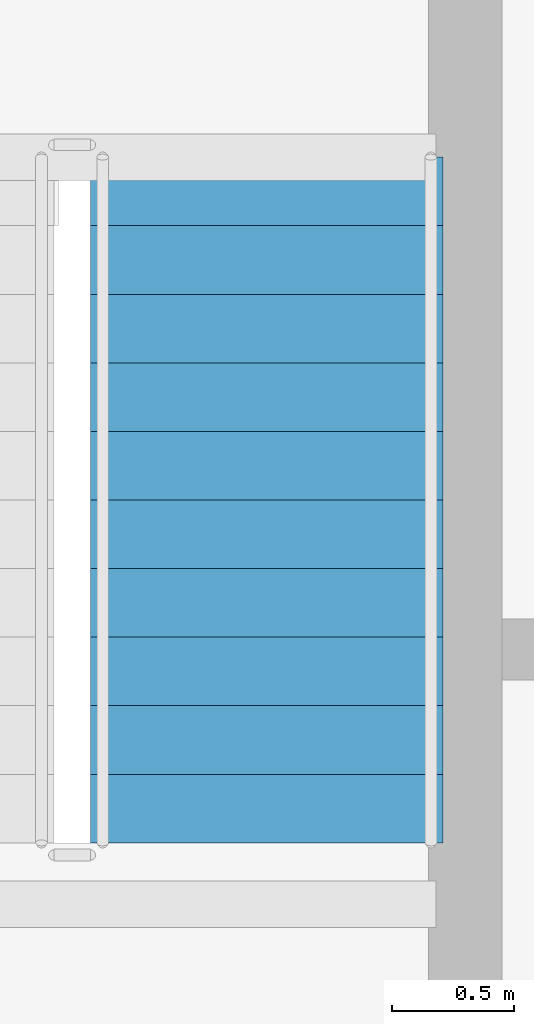
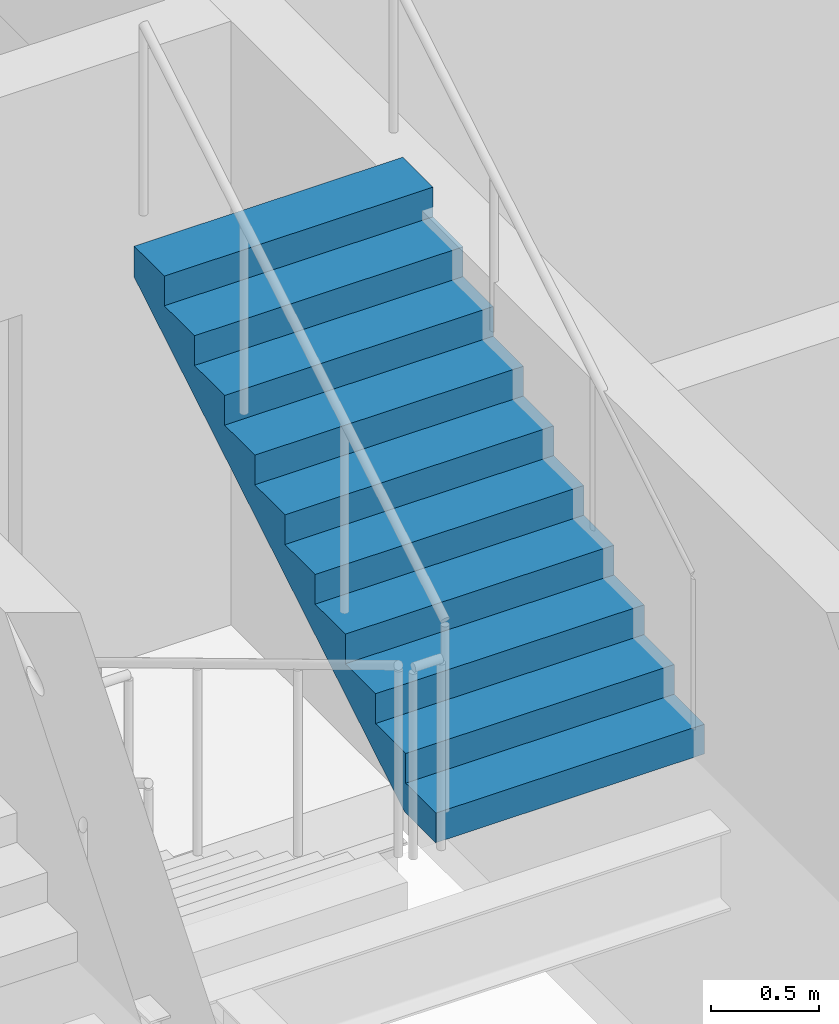
# One storey, part 24 of 29: 1 stair flight, 1 element without a shape of its own.
"""IFC4 building model written with IfcOpenShell, lengths in metres."""

import ifcopenshell
import ifcopenshell.guid

model = None  # the IFC model being written
_history = None  # IfcOwnerHistory: only IFC2X3 demands one
_inside = {}  # id of a spatial element -> (the spatial element, [elements in it])
_under = {}  # id of a project, library or spatial element -> (it, [spatial elements below it])
_declared = {}  # id of a project -> (the project, [libraries it declares])
_typed = {}  # id of a type object -> (the type object, [elements of that type])
_made_of = {}  # id of a material, layer set ... -> (it, [elements and type objects made of it])


def new_model(schema):
    """Start an empty IFC model of exactly this schema.

    Asked for "IFC4X3", IfcOpenShell would pick the latest addendum, in which some entities
    have other attributes; the version numbers below select the first issue.
    IFC2X3 requires an IfcOwnerHistory on every rooted entity: one is made here for all.
    """
    global model, _history
    if schema == "IFC4X3":
        model = ifcopenshell.file(schema_version=(4, 3, 0, 0))
    else:
        model = ifcopenshell.file(schema=schema)
    _inside.clear()
    _under.clear()
    _declared.clear()
    _typed.clear()
    _made_of.clear()
    _history = None
    if model.schema == "IFC2X3":
        org = make("IfcOrganization", Name="unknown")
        user = make(
            "IfcPersonAndOrganization",
            ThePerson=make("IfcPerson", FamilyName="unknown"),
            TheOrganization=org,
        )
        app = make(
            "IfcApplication",
            ApplicationDeveloper=org,
            Version="unknown",
            ApplicationFullName="unknown",
            ApplicationIdentifier="unknown",
        )
        _history = make(
            "IfcOwnerHistory",
            OwningUser=user,
            OwningApplication=app,
            ChangeAction="ADDED",
            CreationDate=0,
        )
    return model


def make(cls, **values):
    """One entity of the class cls with the attributes given. An attribute that is None is left unset."""
    return model.create_entity(
        cls, **{name: value for name, value in values.items() if value is not None}
    )


def rooted(cls, **values):
    """An entity with a GlobalId (a new one), such as an element, a storey or a relation."""
    return make(cls, GlobalId=ifcopenshell.guid.new(), OwnerHistory=_history, **values)


def si_unit(unit_type, name, prefix=None):
    """IfcSIUnit, for example si_unit("LENGTHUNIT", "METRE", prefix="MILLI")."""
    return make("IfcSIUnit", UnitType=unit_type, Prefix=prefix, Name=name)


def assignment(units):
    """IfcUnitAssignment: the units of a project."""
    return None if units is None else make("IfcUnitAssignment", Units=units)


def point(xyz):
    """IfcCartesianPoint."""
    return None if xyz is None else make("IfcCartesianPoint", Coordinates=xyz)


def direction(xyz):
    """IfcDirection."""
    return None if xyz is None else make("IfcDirection", DirectionRatios=xyz)


def frame(location, z_axis=None, x_axis=None):
    """IfcAxis2Placement3D, a coordinate frame: its origin and axes. An axis left out is left unset."""
    return make(
        "IfcAxis2Placement3D",
        Location=point(location),
        Axis=direction(z_axis),
        RefDirection=direction(x_axis),
    )


def origin():
    """The frame at (0, 0, 0) with its axes left unset."""
    return frame((0.0, 0.0, 0.0))


def place(relative_to, where):
    """IfcLocalPlacement: puts the frame where relative to a parent placement (None: the world)."""
    return make(
        "IfcLocalPlacement", PlacementRelTo=relative_to, RelativePlacement=where
    )


def context(
    kind, dimensions, precision=None, world=None, true_north=None, identifier=None
):
    """IfcGeometricRepresentationContext, for example the 3D "Model" context."""
    return make(
        "IfcGeometricRepresentationContext",
        ContextIdentifier=identifier,
        ContextType=kind,
        CoordinateSpaceDimension=dimensions,
        Precision=precision,
        WorldCoordinateSystem=world,
        TrueNorth=true_north,
    )


def subcontext(parent, identifier, kind, view, scale=None):
    """IfcGeometricRepresentationSubContext, for example "Body" below "Model"."""
    return make(
        "IfcGeometricRepresentationSubContext",
        ContextIdentifier=identifier,
        ContextType=kind,
        ParentContext=parent,
        TargetScale=scale,
        TargetView=view,
    )


def project(units=None, contexts=None):
    """IfcProject with its units and contexts."""
    return rooted(
        "IfcProject",
        Name="project",
        RepresentationContexts=contexts,
        UnitsInContext=assignment(units),
    )


def spatial(cls, under=None, at=None, **own):
    """A site, building, storey or space (cls), placed at a placement, below another one or the project."""
    s = rooted(cls, ObjectPlacement=at, **own)
    if under is not None:
        _under.setdefault(under.id(), (under, []))[1].append(s)
    return s


def polyline(points):
    """IfcPolyline through the points."""
    return make("IfcPolyline", Points=[point(p) for p in points])


def outline(outer, holes=None, kind="AREA"):
    """IfcArbitraryClosedProfileDef: a profile drawn as a closed curve; with holes, ...WithVoids."""
    if holes is None:
        return make("IfcArbitraryClosedProfileDef", ProfileType=kind, OuterCurve=outer)
    return make(
        "IfcArbitraryProfileDefWithVoids",
        ProfileType=kind,
        OuterCurve=outer,
        InnerCurves=holes,
    )


def extrude(swept, where, along, depth):
    """IfcExtrudedAreaSolid: the profile swept, set in the frame where, extruded along a direction by depth."""
    return make(
        "IfcExtrudedAreaSolid",
        SweptArea=swept,
        Position=where,
        ExtrudedDirection=direction(along),
        Depth=depth,
    )


def shape(context_of_items, identifier, shape_type, items):
    """IfcShapeRepresentation: the items that make up one representation, for example the "Body"."""
    return make(
        "IfcShapeRepresentation",
        ContextOfItems=context_of_items,
        RepresentationIdentifier=identifier,
        RepresentationType=shape_type,
        Items=items,
    )


def material(Name=None, Category=None):
    """IfcMaterial."""
    return make("IfcMaterial", Name=Name, Category=Category)


def layer(
    of_material, thickness, ventilated=None, Name=None, Category=None, Priority=None
):
    """IfcMaterialLayer: one layer of a wall or slab, of a material (None: an air gap)."""
    return make(
        "IfcMaterialLayer",
        Material=of_material,
        LayerThickness=thickness,
        IsVentilated=ventilated,
        Name=Name,
        Category=Category,
        Priority=Priority,
    )


def layer_set(layers, Name=None):
    """IfcMaterialLayerSet."""
    return make("IfcMaterialLayerSet", MaterialLayers=layers, LayerSetName=Name)


def made_of(thing, what):
    """Note that an element or type object is made of a material, layer set ...; save() writes the relation."""
    if what is not None:
        _made_of.setdefault(what.id(), (what, []))[1].append(thing)
    return thing


def type_object(cls, material=None, **own):
    """A type object (cls), such as IfcWallType, which elements share."""
    return made_of(rooted(cls, **own), material)


def element(
    cls,
    number,
    at=None,
    inside=None,
    cuts=None,
    type_object=None,
    material=None,
    context=None,
    identifier="Body",
    shape_type=None,
    held_by="IfcProductDefinitionShape",
    body=None,
    shapes=None,
    **own,
):
    """One element of the class cls, such as IfcWall. Its Tag is "e" and its number.

    at: its placement. inside: the storey or other place that contains it. cuts: it is an
    opening in that element (IfcRelVoidsElement). A single representation is given by context,
    identifier, shape_type and body (its items); several are given by shapes. held_by: the class
    of the entity that holds the representations. save() writes the other relations.
    """
    e = rooted(cls, Tag="e%d" % number, ObjectPlacement=at, **own)
    if body is not None:
        shapes = [shape(context, identifier, shape_type, body)]
    if shapes is not None:
        e.Representation = make(held_by, Representations=shapes)
    if inside is not None:
        _inside.setdefault(inside.id(), (inside, []))[1].append(e)
    if cuts is not None:
        rooted(
            "IfcRelVoidsElement", RelatingBuildingElement=cuts, RelatedOpeningElement=e
        )
    if type_object is not None:
        _typed.setdefault(type_object.id(), (type_object, []))[1].append(e)
    return made_of(e, material)


def aggregate(whole, parts):
    """IfcRelAggregates: a whole, such as a stair, and the parts it consists of."""
    return rooted("IfcRelAggregates", RelatingObject=whole, RelatedObjects=parts)


def save(model, path):
    """Write the relations noted so far, then the file.

    IfcRelAggregates (storeys below a building ...), IfcRelContainedInSpatialStructure (elements
    in a storey), IfcRelDefinesByType, IfcRelAssociatesMaterial and IfcRelDeclares: one each for
    every whole, place, type object, material and project.
    """
    for whole, parts in _under.values():
        aggregate(whole, parts)
    for where, things in _inside.values():
        rooted(
            "IfcRelContainedInSpatialStructure",
            RelatedElements=things,
            RelatingStructure=where,
        )
    for kind, things in _typed.values():
        rooted("IfcRelDefinesByType", RelatedObjects=things, RelatingType=kind)
    for what, things in _made_of.values():
        rooted("IfcRelAssociatesMaterial", RelatedObjects=things, RelatingMaterial=what)
    for by, libraries in _declared.values():
        rooted("IfcRelDeclares", RelatingContext=by, RelatedDefinitions=libraries)
    model.write(path)


model = new_model("IFC4")

# Units and contexts
model_context = context("Model", 3, precision=1e-05, world=origin(), true_north=direction((0.0, 1.0)))
body_context = subcontext(model_context, "Body", "Model", "MODEL_VIEW")
ifc_project = project(units=[si_unit("LENGTHUNIT", "METRE"), si_unit("AREAUNIT", "SQUARE_METRE"), si_unit("VOLUMEUNIT", "CUBIC_METRE"), si_unit("PLANEANGLEUNIT", "RADIAN"), si_unit("MASSUNIT", "GRAM", prefix="KILO")], contexts=[model_context])

# Site, building, storey
site_placement = place(None, origin())
site = spatial("IfcSite", under=ifc_project, at=site_placement, CompositionType="ELEMENT")
building_placement = place(site_placement, origin())
building = spatial("IfcBuilding", under=site, at=building_placement, Name="Solvaryn Broadcast Tower", CompositionType="ELEMENT")
storey_placement = place(building_placement, frame((0.0, 0.0, 113.699951171875)))
storey = spatial("IfcBuildingStorey", under=building, at=storey_placement, Name="L27", CompositionType="ELEMENT", Elevation=113.699951171875)

# Stair, stair flight
ifc_material_1 = material(Name="Concrete f'c 60 MPa", Category="concrete")
stair_type = type_object("IfcStairType", Name="ST-CORE", PredefinedType="HALF_TURN_STAIR", material=ifc_material_1)
stair_placement = place(storey_placement, origin())
stair = element("IfcStair", 1, at=stair_placement, inside=storey, type_object=stair_type, Name="L27 ST2", PredefinedType="HALF_TURN_STAIR")
ifc_material_2 = material(Name="Concrete f'c 60 MPa", Category="concrete")
ifc_layer = layer(ifc_material_2, 0.159912109375)
ifc_layer_set = layer_set([ifc_layer], Name="SF-CORE")
stair_flight_type = type_object("IfcStairFlightType", Name="SF-CORE", PredefinedType="STRAIGHT", material=ifc_layer_set)
stair_flight_placement = place(storey_placement, frame((17.110107421875, 33.159912109375, 1.85009765625), z_axis=(0.0, 0.0, 1.0), x_axis=(0.0, 1.0, 0.0)))
stair_flight = element("IfcStairFlight", 2, at=stair_flight_placement, type_object=stair_flight_type, Name="ST2 flight 2", NumberOfRisers=11, NumberOfTreads=10, PredefinedType="STRAIGHT", RiserHeight=0.168181818, TreadLength=0.28, context=body_context, shape_type="SweptSolid", body=[
    extrude(outline(polyline([(0.0, 0.0), (0.0, 0.168212890625), (0.280029296875, 0.168212890625), (0.280029296875, 0.33642578125), (0.56005859375, 0.33642578125), (0.56005859375, 0.504638671875), (0.840087890625, 0.504638671875), (0.840087890625, 0.672607421875), (1.1201171875, 0.672607421875), (1.1201171875, 0.8408203125), (1.39990234375, 0.8408203125), (1.39990234375, 1.009033203125), (1.679931640625, 1.009033203125), (1.679931640625, 1.17724609375), (1.9599609375, 1.17724609375), (1.9599609375, 1.345458984375), (2.239990234375, 1.345458984375), (2.239990234375, 1.513671875), (2.52001953125, 1.513671875), (2.52001953125, 1.681884765625), (2.800048828125, 1.681884765625), (2.800048828125, 1.85009765625), (2.800048828125, 1.5068359375), (0.291015625, 0.0), (0.0, 0.0)])), frame((0.0, 0.719970703125, 0.0), z_axis=(0.0, -1.0, 0.0), x_axis=(1.0, 0.0, 0.0)), (0.0, 0.0, 1.0), 1.43994140625),
])
aggregate(stair, [stair_flight])

save(model, "model.ifc")
